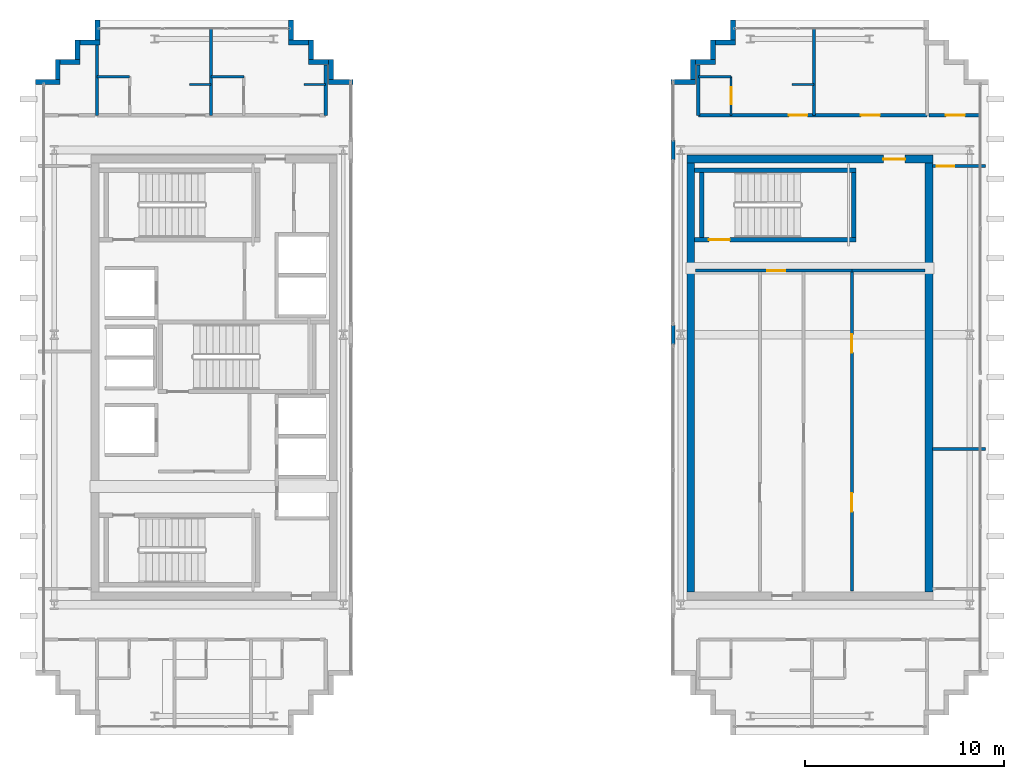
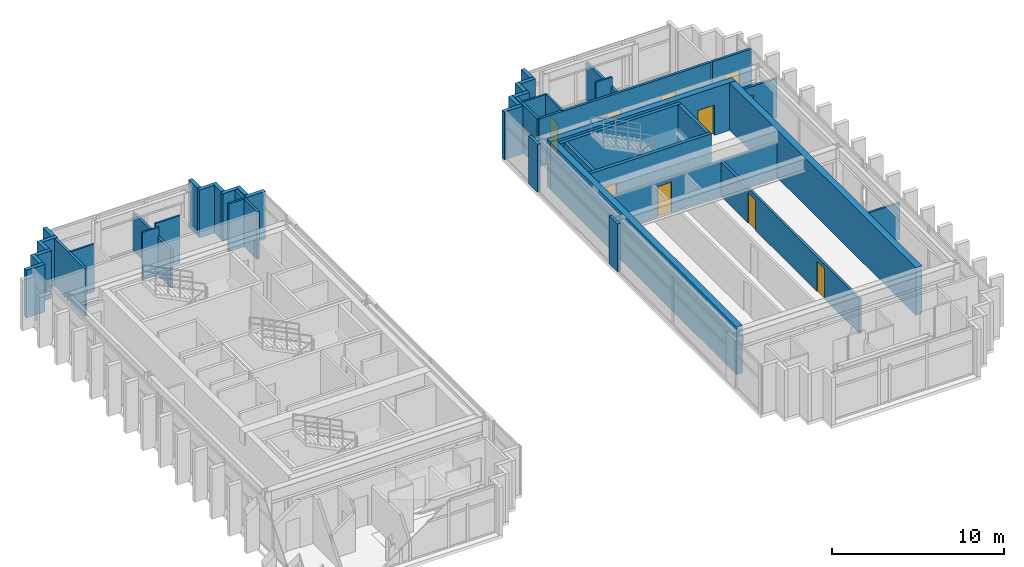
# One storey, part 22 of 25: 46 walls, 10 doors, 10 openings.
"""IFC4 building model written with IfcOpenShell, lengths in metres."""

from ifc_helpers import new_model, si_unit, direction, frame, frame_2d, origin, place, context, subcontext, project, spatial, rectangle, extrude, source, transform, mapped, material, layer, layer_set, type_object, element, fill, save


model = new_model("IFC4")

# Units and contexts
model_context = context("Model", 3, precision=1e-05, world=origin(), true_north=direction((0.0, 1.0)))
body_context = subcontext(model_context, "Body", "Model", "MODEL_VIEW")
ifc_project = project(units=[si_unit("LENGTHUNIT", "METRE"), si_unit("AREAUNIT", "SQUARE_METRE"), si_unit("VOLUMEUNIT", "CUBIC_METRE"), si_unit("PLANEANGLEUNIT", "RADIAN"), si_unit("MASSUNIT", "GRAM", prefix="KILO")], contexts=[model_context])

# Site, building, storey
site_placement = place(None, origin())
site = spatial("IfcSite", under=ifc_project, at=site_placement, CompositionType="ELEMENT")
building_placement = place(site_placement, origin())
building = spatial("IfcBuilding", under=site, at=building_placement, Name="Ocotamira Hotel", CompositionType="ELEMENT")
storey_placement = place(building_placement, frame((0.0, 0.0, 254.39990234375)))
storey = spatial("IfcBuildingStorey", under=building, at=storey_placement, Name="L64", CompositionType="ELEMENT", Elevation=254.39990234375)

# Wall, opening, door
ifc_material_1 = material(Name="Concrete C50/60", Category="concrete")
ifc_layer_1 = layer(ifc_material_1, 0.39990234375)
ifc_layer_set_1 = layer_set([ifc_layer_1], Name="Concrete C50/60")
wall_type_1 = type_object("IfcWallType", Name="WL-CORE-400", PredefinedType="SHEAR", material=ifc_layer_set_1)
wall_1_placement = place(storey_placement, frame((40.800048828125, 37.0, 0.0), z_axis=(0.0, 0.0, 1.0), x_axis=(1.0, 0.0, 0.0)))
wall_1 = element("IfcWall", 1, at=wall_1_placement, inside=storey, type_object=wall_type_1, Name="L64 Shear Core Wall ECORE-N", PredefinedType="SHEAR", context=body_context, shape_type="SweptSolid", body=[
    extrude(rectangle(XDim=12.39990234375, YDim=0.39990234375, at=frame_2d((6.199951171875, 0.0))), origin(), (0.0, 0.0, 1.0), 3.380126953125),
])
opening_1_placement = place(wall_1_placement, frame((9.89990234375, 0.0, 0.0)))
opening_1 = element("IfcOpeningElement", 2, at=opening_1_placement, cuts=wall_1, Name="Opening D-FR1", PredefinedType="OPENING", context=body_context, shape_type="SweptSolid", body=[
    extrude(rectangle(XDim=1.10009765625, YDim=2.14990234375, at=frame_2d((0.550048828125, 1.074951171875))), frame((0.0, 0.2099609375, 0.0), z_axis=(0.0, -1.0, 0.0), x_axis=(1.0, 0.0, 0.0)), (0.0, 0.0, 1.0), 0.419921875),
])
ifc_material_2 = material(Name="Fire-rated acoustic timber-veneer door", Category="wood")
door_type_1 = type_object("IfcDoorType", Name="DR-FIRE-1100", OperationType="NOTDEFINED", PredefinedType="DOOR", material=ifc_material_2)
shared_shape_1 = source(origin(), body_context, "Body", "SweptSolid", [
    extrude(rectangle(XDim=1.10009765625, YDim=2.14990234375, at=frame_2d((0.550048828125, 1.074951171875))), frame((0.0, 0.02490234375, 0.0), z_axis=(0.0, -1.0, 0.0), x_axis=(1.0, 0.0, 0.0)), (0.0, 0.0, 1.0), 0.050048828125),
])
door_1_placement = place(opening_1_placement, origin())
door_1 = element("IfcDoor", 3, at=door_1_placement, inside=storey, type_object=door_type_1, Name="L64 Door ID-L64-ELOB-N-D [ID-L64-ELOB-N-D]", OperationType="SINGLE_SWING_LEFT", OverallHeight=2.14990234375, OverallWidth=1.10009765625, PredefinedType="DOOR", context=body_context, shape_type="MappedRepresentation", body=[
    mapped(shared_shape_1, transform((0.0, 0.0, 0.0), scale=1.0)),
])
fill(opening_1, door_1)

# Walls
for number, where, z_axis, x_axis, name in (
    (4, (41.0, 15.199951171875, 0.0), (0.0, 0.0, 1.0), (0.0, 1.0, 0.0), "L64 Shear Core Wall ECORE-W"),
    (5, (53.0, 15.199951171875, 0.0), (0.0, 0.0, 1.0), (0.0, 1.0, 0.0), "L64 Shear Core Wall ECORE-E"),
):
    element("IfcWall", number, at=place(storey_placement, frame(where, z_axis=z_axis, x_axis=x_axis)), inside=storey, type_object=wall_type_1, Name=name, PredefinedType="SHEAR", context=body_context, shape_type="SweptSolid", body=[
        extrude(rectangle(XDim=21.60009765625, YDim=0.39990234375, at=frame_2d((10.800048828125, 0.0))), origin(), (0.0, 0.0, 1.0), 3.380126953125),
    ])
ifc_material_3 = material(Name="Precast concrete C45/55", Category="concrete")
ifc_layer_2 = layer(ifc_material_3, 0.25)
ifc_layer_set_2 = layer_set([ifc_layer_2], Name="Precast concrete C45/55")
wall_type_2 = type_object("IfcWallType", Name="WL-EXT-SER-250", PredefinedType="SOLIDWALL", material=ifc_layer_set_2)
wall_2_placement = place(storey_placement, frame((24.0, 40.875, 0.0), z_axis=(0.0, 0.0, 1.0), x_axis=(-1.0, 0.0, 0.0)))
element("IfcWall", 6, at=wall_2_placement, inside=storey, type_object=wall_type_2, Name="L64 -W Serrated Corner Wall 07", PredefinedType="SOLIDWALL", context=body_context, shape_type="SweptSolid", body=[
    extrude(rectangle(XDim=1.25, YDim=0.25, at=frame_2d((0.625, 0.0))), origin(), (0.0, 0.0, 1.0), 3.380126953125),
])
for number, where, z_axis, x_axis, name in (
    (7, (22.875, 41.0, 0.0), (0.0, 0.0, 1.0), (0.0, 1.0, 0.0), "L64 -W Serrated Corner Wall 08"),
    (8, (22.75, 41.875, 0.0), (0.0, 0.0, 1.0), (-1.0, 0.0, 0.0), "L64 -W Serrated Corner Wall 09"),
    (9, (21.875, 42.0, 0.0), (0.0, 0.0, 1.0), (0.0, 1.0, 0.0), "L64 -W Serrated Corner Wall 10"),
    (10, (21.75, 42.875, 0.0), (0.0, 0.0, 1.0), (-1.0, 0.0, 0.0), "L64 -W Serrated Corner Wall 11"),
    (11, (20.875, 43.0, 0.0), (0.0, 0.0, 1.0), (0.0, 1.0, 0.0), "L64 -W Serrated Corner Wall 12"),
    (12, (11.125, 44.0, 0.0), (0.0, 0.0, 1.0), (0.0, -1.0, 0.0), "L64 -W Serrated Corner Wall 13"),
    (13, (11.25, 42.875, 0.0), (0.0, 0.0, 1.0), (-1.0, 0.0, 0.0), "L64 -W Serrated Corner Wall 14"),
    (14, (10.125, 43.0, 0.0), (0.0, 0.0, 1.0), (0.0, -1.0, 0.0), "L64 -W Serrated Corner Wall 15"),
    (15, (10.25, 41.875, 0.0), (0.0, 0.0, 1.0), (-1.0, 0.0, 0.0), "L64 -W Serrated Corner Wall 16"),
    (16, (9.125, 42.0, 0.0), (0.0, 0.0, 1.0), (0.0, -1.0, 0.0), "L64 -W Serrated Corner Wall 17"),
):
    element("IfcWall", number, at=place(storey_placement, frame(where, z_axis=z_axis, x_axis=x_axis)), inside=storey, type_object=wall_type_2, Name=name, PredefinedType="SOLIDWALL", context=body_context, shape_type="SweptSolid", body=[
        extrude(rectangle(XDim=1.0, YDim=0.25, at=frame_2d((0.5, 0.0))), origin(), (0.0, 0.0, 1.0), 3.380126953125),
    ])
wall_3_placement = place(storey_placement, frame((9.25, 40.875, 0.0), z_axis=(0.0, 0.0, 1.0), x_axis=(-1.0, 0.0, 0.0)))
element("IfcWall", 17, at=wall_3_placement, inside=storey, type_object=wall_type_2, Name="L64 -W Serrated Corner Wall 18", PredefinedType="SOLIDWALL", context=body_context, shape_type="SweptSolid", body=[
    extrude(rectangle(XDim=1.25, YDim=0.25, at=frame_2d((0.625, 0.0))), origin(), (0.0, 0.0, 1.0), 3.380126953125),
])
for number, where, z_axis, x_axis, name in (
    (18, (43.125, 44.0, 0.0), (0.0, 0.0, 1.0), (0.0, -1.0, 0.0), "L64 -E Serrated Corner Wall 13"),
    (19, (43.25, 42.875, 0.0), (0.0, 0.0, 1.0), (-1.0, 0.0, 0.0), "L64 -E Serrated Corner Wall 14"),
    (20, (42.125, 43.0, 0.0), (0.0, 0.0, 1.0), (0.0, -1.0, 0.0), "L64 -E Serrated Corner Wall 15"),
    (21, (42.25, 41.875, 0.0), (0.0, 0.0, 1.0), (-1.0, 0.0, 0.0), "L64 -E Serrated Corner Wall 16"),
    (22, (41.125, 42.0, 0.0), (0.0, 0.0, 1.0), (0.0, -1.0, 0.0), "L64 -E Serrated Corner Wall 17"),
):
    element("IfcWall", number, at=place(storey_placement, frame(where, z_axis=z_axis, x_axis=x_axis)), inside=storey, type_object=wall_type_2, Name=name, PredefinedType="SOLIDWALL", context=body_context, shape_type="SweptSolid", body=[
        extrude(rectangle(XDim=1.0, YDim=0.25, at=frame_2d((0.5, 0.0))), origin(), (0.0, 0.0, 1.0), 3.380126953125),
    ])
wall_4_placement = place(storey_placement, frame((41.25, 40.875, 0.0), z_axis=(0.0, 0.0, 1.0), x_axis=(-1.0, 0.0, 0.0)))
element("IfcWall", 23, at=wall_4_placement, inside=storey, type_object=wall_type_2, Name="L64 -E Serrated Corner Wall 18", PredefinedType="SOLIDWALL", context=body_context, shape_type="SweptSolid", body=[
    extrude(rectangle(XDim=1.25, YDim=0.25, at=frame_2d((0.625, 0.0))), origin(), (0.0, 0.0, 1.0), 3.380126953125),
])
ifc_material_4 = material(Name="Acoustic double-layer fire gypsum board partition", Category="gypsum")
ifc_layer_3 = layer(ifc_material_4, 0.159912109375)
ifc_layer_set_3 = layer_set([ifc_layer_3], Name="Acoustic double-layer fire gypsum board partition")
wall_type_3 = type_object("IfcWallType", Name="WL-FIRE-160", PredefinedType="PARTITIONING", material=ifc_layer_set_3)
wall_5_placement = place(storey_placement, frame((49.1201171875, 31.3798828125, 0.0), z_axis=(0.0, 0.0, 1.0), x_axis=(1.0, 0.0, 0.0)))
element("IfcWall", 24, at=wall_5_placement, inside=storey, type_object=wall_type_3, Name="L64 Interior Wall PW-L64-EC-FLOW-N", PredefinedType="PARTITIONING", context=body_context, shape_type="SweptSolid", body=[
    extrude(rectangle(XDim=3.679931640625, YDim=0.159912109375, at=frame_2d((1.83984375, 0.0))), origin(), (0.0, 0.0, 1.0), 2.47998046875),
])

# Wall, openings, doors
wall_6_placement = place(storey_placement, frame((49.1201171875, 15.25, 0.0), z_axis=(0.0, 0.0, 1.0), x_axis=(0.0, 1.0, 0.0)))
wall_6 = element("IfcWall", 25, at=wall_6_placement, inside=storey, type_object=wall_type_3, Name="L64 Interior Wall PW-L64-EC-FLOW-W", PredefinedType="PARTITIONING", context=body_context, shape_type="SweptSolid", body=[
    extrude(rectangle(XDim=16.1298828125, YDim=0.159912109375, at=frame_2d((8.06494140625, 0.0))), origin(), (0.0, 0.0, 1.0), 2.453125),
])
opening_2_placement = place(wall_6_placement, frame((4.0, 0.0, 0.0)))
opening_2 = element("IfcOpeningElement", 26, at=opening_2_placement, cuts=wall_6, Name="Opening D-SV3", PredefinedType="OPENING", context=body_context, shape_type="SweptSolid", body=[
    extrude(rectangle(XDim=0.919921875, YDim=2.14990234375, at=frame_2d((0.4599609375, 1.074951171875))), frame((0.0, 0.08984375, 0.0), z_axis=(0.0, -1.0, 0.0), x_axis=(1.0, 0.0, 0.0)), (0.0, 0.0, 1.0), 0.179931640625),
])
opening_3_placement = place(wall_6_placement, frame((12.0, 0.0, 0.0)))
opening_3 = element("IfcOpeningElement", 27, at=opening_3_placement, cuts=wall_6, Name="Opening D-SV3", PredefinedType="OPENING", context=body_context, shape_type="SweptSolid", body=[
    extrude(rectangle(XDim=0.919921875, YDim=2.14990234375, at=frame_2d((0.4599609375, 1.074951171875))), frame((0.0, 0.08984375, 0.0), z_axis=(0.0, -1.0, 0.0), x_axis=(1.0, 0.0, 0.0)), (0.0, 0.0, 1.0), 0.179931640625),
])
ifc_material_5 = material(Name="Fire-rated walnut hospitality door", Category="wood")
door_type_2 = type_object("IfcDoorType", Name="DR-SERV-920", OperationType="NOTDEFINED", PredefinedType="DOOR", material=ifc_material_5)
shared_shape_2 = source(origin(), body_context, "Body", "SweptSolid", [
    extrude(rectangle(XDim=0.919921875, YDim=2.14990234375, at=frame_2d((0.4599609375, 1.074951171875))), frame((0.0, 0.02490234375, 0.0), z_axis=(0.0, -1.0, 0.0), x_axis=(1.0, 0.0, 0.0)), (0.0, 0.0, 1.0), 0.050048828125),
])
door_2_placement = place(opening_2_placement, origin())
door_2 = element("IfcDoor", 28, at=door_2_placement, inside=storey, type_object=door_type_2, Name="L64 Door ID-L64-EC-FLOW-D1 [ID-L64-EC-FLOW-D1]", OperationType="SINGLE_SWING_LEFT", OverallHeight=2.14990234375, OverallWidth=0.919921875, PredefinedType="DOOR", context=body_context, shape_type="MappedRepresentation", body=[
    mapped(shared_shape_2, transform((0.0, 0.0, 0.0), scale=1.0)),
])
fill(opening_2, door_2)
door_3_placement = place(opening_3_placement, origin())
door_3 = element("IfcDoor", 29, at=door_3_placement, inside=storey, type_object=door_type_2, Name="L64 Door ID-L64-EC-FLOW-D2 [ID-L64-EC-FLOW-D2]", OperationType="SINGLE_SWING_RIGHT", OverallHeight=2.14990234375, OverallWidth=0.919921875, PredefinedType="DOOR", context=body_context, shape_type="MappedRepresentation", body=[
    mapped(shared_shape_2, transform((0.0, 0.0, 0.0), scale=1.0)),
])
fill(opening_3, door_3)

wall_7_placement = place(storey_placement, frame((41.3798828125, 39.199951171875, 0.0), z_axis=(0.0, 0.0, 1.0), x_axis=(1.0, 0.0, 0.0)))
wall_7 = element("IfcWall", 30, at=wall_7_placement, inside=storey, type_object=wall_type_3, Name="L64 Interior Wall PW-L64-SPE0N-CORRW", PredefinedType="PARTITIONING", context=body_context, shape_type="SweptSolid", body=[
    extrude(rectangle(XDim=11.52001953125, YDim=0.159912109375, at=frame_2d((5.760009765625, 0.0))), origin(), (0.0, 0.0, 1.0), 3.380126953125),
])
opening_4_placement = place(wall_7_placement, frame((4.56005859375, 0.0, 0.0)))
opening_4 = element("IfcOpeningElement", 31, at=opening_4_placement, cuts=wall_7, Name="Opening D-GR1", PredefinedType="OPENING", context=body_context, shape_type="SweptSolid", body=[
    extrude(rectangle(XDim=0.93994140625, YDim=2.14990234375, at=frame_2d((0.469970703125, 1.074951171875))), frame((0.0, 0.08984375, 0.0), z_axis=(0.0, -1.0, 0.0), x_axis=(1.0, 0.0, 0.0)), (0.0, 0.0, 1.0), 0.179931640625),
])
opening_5_placement = place(wall_7_placement, frame((8.18994140625, 0.0, 0.0)))
opening_5 = element("IfcOpeningElement", 32, at=opening_5_placement, cuts=wall_7, Name="Opening D-SV4", PredefinedType="OPENING", context=body_context, shape_type="SweptSolid", body=[
    extrude(rectangle(XDim=0.9599609375, YDim=2.14990234375, at=frame_2d((0.47998046875, 1.074951171875))), frame((0.0, 0.08984375, 0.0), z_axis=(0.0, -1.0, 0.0), x_axis=(1.0, 0.0, 0.0)), (0.0, 0.0, 1.0), 0.179931640625),
])
ifc_material_6 = material(Name="Fire-rated accessible walnut salon door", Category="wood")
door_type_3 = type_object("IfcDoorType", Name="DR-SERV-960", OperationType="NOTDEFINED", PredefinedType="DOOR", material=ifc_material_6)
shared_shape_3 = source(origin(), body_context, "Body", "SweptSolid", [
    extrude(rectangle(XDim=0.9599609375, YDim=2.14990234375, at=frame_2d((0.47998046875, 1.074951171875))), frame((0.0, 0.02490234375, 0.0), z_axis=(0.0, -1.0, 0.0), x_axis=(1.0, 0.0, 0.0)), (0.0, 0.0, 1.0), 0.050048828125),
])
door_4_placement = place(opening_5_placement, origin())
door_4 = element("IfcDoor", 33, at=door_4_placement, inside=storey, type_object=door_type_3, Name="L64 Door ID-L64-SPE0N-AMD2 [ID-L64-SPE0N-AMD2]", OperationType="SINGLE_SWING_RIGHT", OverallHeight=2.14990234375, OverallWidth=0.9599609375, PredefinedType="DOOR", context=body_context, shape_type="MappedRepresentation", body=[
    mapped(shared_shape_3, transform((0.0, 0.0, 0.0), scale=1.0)),
])
fill(opening_5, door_4)
ifc_material_7 = material(Name="Solid-core walnut suite entrance fire door", Category="wood")
door_type_4 = type_object("IfcDoorType", Name="DR-GUEST-940", OperationType="NOTDEFINED", PredefinedType="DOOR", material=ifc_material_7)
shared_shape_4 = source(origin(), body_context, "Body", "SweptSolid", [
    extrude(rectangle(XDim=0.93994140625, YDim=2.14990234375, at=frame_2d((0.469970703125, 1.074951171875))), frame((0.0, 0.02490234375, 0.0), z_axis=(0.0, -1.0, 0.0), x_axis=(1.0, 0.0, 0.0)), (0.0, 0.0, 1.0), 0.050048828125),
])
door_5_placement = place(opening_4_placement, origin())
door_5 = element("IfcDoor", 34, at=door_5_placement, inside=storey, type_object=door_type_4, Name="L64 Door ID-L64-SPE0N-RMD1 [ID-L64-SPE0N-RMD1]", OperationType="SINGLE_SWING_LEFT", OverallHeight=2.14990234375, OverallWidth=0.93994140625, PredefinedType="DOOR", context=body_context, shape_type="MappedRepresentation", body=[
    mapped(shared_shape_4, transform((0.0, 0.0, 0.0), scale=1.0)),
])
fill(opening_4, door_5)

# Wall, opening, door
wall_8_placement = place(storey_placement, frame((53.0, 39.199951171875, 0.0), z_axis=(0.0, 0.0, 1.0), x_axis=(1.0, 0.0, 0.0)))
wall_8 = element("IfcWall", 35, at=wall_8_placement, inside=storey, type_object=wall_type_3, Name="L64 Interior Wall PW-L64-SPCNE0-CW", PredefinedType="PARTITIONING", context=body_context, shape_type="SweptSolid", body=[
    extrude(rectangle(XDim=2.64990234375, YDim=0.159912109375, at=frame_2d((1.324951171875, 0.0))), origin(), (0.0, 0.0, 1.0), 3.380126953125),
])
opening_6_placement = place(wall_8_placement, frame((0.844970703125, 0.0, 0.0)))
opening_6 = element("IfcOpeningElement", 36, at=opening_6_placement, cuts=wall_8, Name="Opening D-SV4", PredefinedType="OPENING", context=body_context, shape_type="SweptSolid", body=[
    extrude(rectangle(XDim=0.9599609375, YDim=2.14990234375, at=frame_2d((0.47998046875, 1.074951171875))), frame((0.0, 0.08984375, 0.0), z_axis=(0.0, -1.0, 0.0), x_axis=(1.0, 0.0, 0.0)), (0.0, 0.0, 1.0), 0.179931640625),
])
door_6_placement = place(opening_6_placement, origin())
door_6 = element("IfcDoor", 37, at=door_6_placement, inside=storey, type_object=door_type_3, Name="L64 Door ID-L64-SPCNE0-CD [ID-L64-SPCNE0-CD]", OperationType="SINGLE_SWING_LEFT", OverallHeight=2.14990234375, OverallWidth=0.9599609375, PredefinedType="DOOR", context=body_context, shape_type="MappedRepresentation", body=[
    mapped(shared_shape_3, transform((0.0, 0.0, 0.0), scale=1.0)),
])
fill(opening_6, door_6)

# Walls
ifc_layer_4 = layer(ifc_material_3, 0.219970703125)
ifc_layer_set_4 = layer_set([ifc_layer_4], Name="Precast concrete C45/55")
wall_type_4 = type_object("IfcWallType", Name="WL-PARA-220", PredefinedType="PARAPET", material=ifc_layer_set_4)
for number, where, z_axis, x_axis, name in (
    (38, (40.1201171875, 27.64990234375, 0.0), (0.0, 0.0, 1.0), (0.0, 1.0, 0.0), "L64 Split-Wing Column Spandrel Closure E2"),
    (39, (40.1201171875, 36.949951171875, 0.0), (0.0, 0.0, 1.0), (0.0, 1.0, 0.0), "L64 Split-Wing Column Spandrel Closure E3"),
):
    element("IfcWall", number, at=place(storey_placement, frame(where, z_axis=z_axis, x_axis=x_axis)), inside=storey, type_object=wall_type_4, Name=name, PredefinedType="PARAPET", context=body_context, shape_type="SweptSolid", body=[
        extrude(rectangle(XDim=1.0, YDim=0.199951171875, at=frame_2d((0.5, 0.0))), origin(), (0.0, 0.0, 1.0), 3.380126953125),
    ])
ifc_material_8 = material(Name="Moisture-resistant en-suite tile and gypsum partition", Category="gypsum")
ifc_layer_5 = layer(ifc_material_8, 0.1201171875)
ifc_layer_set_5 = layer_set([ifc_layer_5], Name="Moisture-resistant en-suite tile and gypsum partition")
wall_type_5 = type_object("IfcWallType", Name="WL-PART-120", PredefinedType="PARTITIONING", material=ifc_layer_set_5)
wall_9_placement = place(storey_placement, frame((11.10009765625, 41.14990234375, 0.0), z_axis=(0.0, 0.0, 1.0), x_axis=(1.0, 0.0, 0.0)))
element("IfcWall", 40, at=wall_9_placement, inside=storey, type_object=wall_type_5, Name="L64 Interior Wall PW-L64-SPW0N-BAN1", PredefinedType="PARTITIONING", context=body_context, shape_type="SweptSolid", body=[
    extrude(rectangle(XDim=1.64990234375, YDim=0.1201171875, at=frame_2d((0.824951171875, 0.0))), origin(), (0.0, 0.0, 1.0), 3.380126953125),
])
wall_10_placement = place(storey_placement, frame((15.75, 40.75, 0.0), z_axis=(0.0, 0.0, 1.0), x_axis=(1.0, 0.0, 0.0)))
element("IfcWall", 41, at=wall_10_placement, inside=storey, type_object=wall_type_5, Name="L64 Interior Wall PW-L64-SPW0N-DRN1", PredefinedType="PARTITIONING", context=body_context, shape_type="SweptSolid", body=[
    extrude(rectangle(XDim=1.10009765625, YDim=0.1201171875, at=frame_2d((0.550048828125, 0.0))), origin(), (0.0, 0.0, 1.0), 3.380126953125),
])
wall_11_placement = place(storey_placement, frame((16.85009765625, 41.14990234375, 0.0), z_axis=(0.0, 0.0, 1.0), x_axis=(1.0, 0.0, 0.0)))
element("IfcWall", 42, at=wall_11_placement, inside=storey, type_object=wall_type_5, Name="L64 Interior Wall PW-L64-SPW0N-BAN2", PredefinedType="PARTITIONING", context=body_context, shape_type="SweptSolid", body=[
    extrude(rectangle(XDim=1.64990234375, YDim=0.1201171875, at=frame_2d((0.824951171875, 0.0))), origin(), (0.0, 0.0, 1.0), 3.380126953125),
])
wall_12_placement = place(storey_placement, frame((21.52001953125, 40.75, 0.0), z_axis=(0.0, 0.0, 1.0), x_axis=(1.0, 0.0, 0.0)))
element("IfcWall", 43, at=wall_12_placement, inside=storey, type_object=wall_type_5, Name="L64 Interior Wall PW-L64-SPW0N-DRN2", PredefinedType="PARTITIONING", context=body_context, shape_type="SweptSolid", body=[
    extrude(rectangle(XDim=1.10009765625, YDim=0.1201171875, at=frame_2d((0.550048828125, 0.0))), origin(), (0.0, 0.0, 1.0), 3.380126953125),
])

# Wall, opening, door
wall_13_placement = place(storey_placement, frame((43.030029296875, 39.199951171875, 0.0), z_axis=(0.0, 0.0, 1.0), x_axis=(0.0, 1.0, 0.0)))
wall_13 = element("IfcWall", 44, at=wall_13_placement, inside=storey, type_object=wall_type_5, Name="L64 Interior Wall PW-L64-SPE0N-BAE1", PredefinedType="PARTITIONING", context=body_context, shape_type="SweptSolid", body=[
    extrude(rectangle(XDim=1.949951171875, YDim=0.1201171875, at=frame_2d((0.97509765625, 0.0))), origin(), (0.0, 0.0, 1.0), 3.380126953125),
])
opening_7_placement = place(wall_13_placement, frame((0.544921875, 0.0, 0.0)))
opening_7 = element("IfcOpeningElement", 45, at=opening_7_placement, cuts=wall_13, Name="Opening D-BA1", PredefinedType="OPENING", context=body_context, shape_type="SweptSolid", body=[
    extrude(rectangle(XDim=0.860107421875, YDim=2.10009765625, at=frame_2d((0.43017578125, 1.050048828125))), frame((0.0, 0.070068359375, 0.0), z_axis=(0.0, -1.0, 0.0), x_axis=(1.0, 0.0, 0.0)), (0.0, 0.0, 1.0), 0.14013671875),
])
ifc_material_9 = material(Name="Moisture-sealed en-suite timber door", Category="wood")
door_type_5 = type_object("IfcDoorType", Name="DR-BATH-860", OperationType="NOTDEFINED", PredefinedType="DOOR", material=ifc_material_9)
shared_shape_5 = source(origin(), body_context, "Body", "SweptSolid", [
    extrude(rectangle(XDim=0.860107421875, YDim=2.10009765625, at=frame_2d((0.43017578125, 1.050048828125))), frame((0.0, 0.02490234375, 0.0), z_axis=(0.0, -1.0, 0.0), x_axis=(1.0, 0.0, 0.0)), (0.0, 0.0, 1.0), 0.050048828125),
])
door_7_placement = place(opening_7_placement, origin())
door_7 = element("IfcDoor", 46, at=door_7_placement, inside=storey, type_object=door_type_5, Name="L64 Door ID-L64-SPE0N-BAD1 [ID-L64-SPE0N-BAD1]", OperationType="SINGLE_SWING_RIGHT", OverallHeight=2.10009765625, OverallWidth=0.860107421875, PredefinedType="DOOR", context=body_context, shape_type="MappedRepresentation", body=[
    mapped(shared_shape_5, transform((0.0, 0.0, 0.0), scale=1.0)),
])
fill(opening_7, door_7)

# Walls
wall_14_placement = place(storey_placement, frame((41.3798828125, 41.14990234375, 0.0), z_axis=(0.0, 0.0, 1.0), x_axis=(1.0, 0.0, 0.0)))
element("IfcWall", 47, at=wall_14_placement, inside=storey, type_object=wall_type_5, Name="L64 Interior Wall PW-L64-SPE0N-BAN1", PredefinedType="PARTITIONING", context=body_context, shape_type="SweptSolid", body=[
    extrude(rectangle(XDim=1.650146484375, YDim=0.1201171875, at=frame_2d((0.8251953125, 0.0))), origin(), (0.0, 0.0, 1.0), 3.380126953125),
])
wall_15_placement = place(storey_placement, frame((46.10009765625, 40.75, 0.0), z_axis=(0.0, 0.0, 1.0), x_axis=(1.0, 0.0, 0.0)))
element("IfcWall", 48, at=wall_15_placement, inside=storey, type_object=wall_type_5, Name="L64 Interior Wall PW-L64-SPE0N-DRN1", PredefinedType="PARTITIONING", context=body_context, shape_type="SweptSolid", body=[
    extrude(rectangle(XDim=1.099853515625, YDim=0.1201171875, at=frame_2d((0.5498046875, 0.0))), origin(), (0.0, 0.0, 1.0), 3.380126953125),
])
ifc_material_10 = material(Name="Acoustic hospitality gypsum board partition", Category="gypsum")
ifc_layer_6 = layer(ifc_material_10, 0.14208984375)
ifc_layer_set_6 = layer_set([ifc_layer_6], Name="Acoustic hospitality gypsum board partition")
wall_type_6 = type_object("IfcWallType", Name="WL-PART-142", PredefinedType="PARTITIONING", material=ifc_layer_set_6)
wall_16_placement = place(storey_placement, frame((53.179931640625, 22.39990234375, 0.0), z_axis=(0.0, 0.0, 1.0), x_axis=(1.0, 0.0, 0.0)))
element("IfcWall", 49, at=wall_16_placement, inside=storey, type_object=wall_type_6, Name="L64 Interior Wall PW-L64-SP0E-DV1", PredefinedType="PARTITIONING", context=body_context, shape_type="SweptSolid", body=[
    extrude(rectangle(XDim=2.66015625, YDim=0.14208984375, at=frame_2d((1.330078125, 0.0))), origin(), (0.0, 0.0, 1.0), 2.60107421875),
])

# Wall, opening, door
ifc_layer_7 = layer(ifc_material_10, 0.14990234375)
ifc_layer_set_7 = layer_set([ifc_layer_7], Name="Acoustic hospitality gypsum board partition")
wall_type_7 = type_object("IfcWallType", Name="WL-PART-150", PredefinedType="PARTITIONING", material=ifc_layer_set_7)
wall_17_placement = place(storey_placement, frame((41.25, 31.3798828125, 0.0), z_axis=(0.0, 0.0, 1.0), x_axis=(1.0, 0.0, 0.0)))
wall_17 = element("IfcWall", 50, at=wall_17_placement, inside=storey, type_object=wall_type_7, Name="L64 Interior Wall PW-L64-EC-HMT-N", PredefinedType="PARTITIONING", context=body_context, shape_type="SweptSolid", body=[
    extrude(rectangle(XDim=7.8701171875, YDim=0.14990234375, at=frame_2d((3.93505859375, 0.0))), origin(), (0.0, 0.0, 1.0), 2.47998046875),
])
opening_8_placement = place(wall_17_placement, frame((3.60009765625, 0.0, 0.0)))
opening_8 = element("IfcOpeningElement", 51, at=opening_8_placement, cuts=wall_17, Name="Opening D-IN3", PredefinedType="OPENING", context=body_context, shape_type="SweptSolid", body=[
    extrude(rectangle(XDim=0.89990234375, YDim=2.14990234375, at=frame_2d((0.449951171875, 1.074951171875))), frame((0.0, 0.0849609375, 0.0), z_axis=(0.0, -1.0, 0.0), x_axis=(1.0, 0.0, 0.0)), (0.0, 0.0, 1.0), 0.169921875),
])
ifc_material_11 = material(Name="Painted service room door", Category="steel")
door_type_6 = type_object("IfcDoorType", Name="DR-INT-900", OperationType="NOTDEFINED", PredefinedType="DOOR", material=ifc_material_11)
shared_shape_6 = source(origin(), body_context, "Body", "SweptSolid", [
    extrude(rectangle(XDim=0.89990234375, YDim=2.14990234375, at=frame_2d((0.449951171875, 1.074951171875))), frame((0.0, 0.02490234375, 0.0), z_axis=(0.0, -1.0, 0.0), x_axis=(1.0, 0.0, 0.0)), (0.0, 0.0, 1.0), 0.050048828125),
])
door_8_placement = place(opening_8_placement, origin())
door_8 = element("IfcDoor", 52, at=door_8_placement, inside=storey, type_object=door_type_6, Name="L64 Door ID-L64-EC-MGALD [ID-L64-EC-MGALD]", OperationType="SINGLE_SWING_LEFT", OverallHeight=2.14990234375, OverallWidth=0.89990234375, PredefinedType="DOOR", context=body_context, shape_type="MappedRepresentation", body=[
    mapped(shared_shape_6, transform((0.0, 0.0, 0.0), scale=1.0)),
])
fill(opening_8, door_8)

wall_18_placement = place(storey_placement, frame((53.179931640625, 36.639892578125, 0.0), z_axis=(0.0, 0.0, 1.0), x_axis=(1.0, 0.0, 0.0)))
wall_18 = element("IfcWall", 53, at=wall_18_placement, inside=storey, type_object=wall_type_7, Name="L64 Interior Wall PW-L64-SP0E-WN", PredefinedType="PARTITIONING", context=body_context, shape_type="SweptSolid", body=[
    extrude(rectangle(XDim=2.66015625, YDim=0.14990234375, at=frame_2d((1.330078125, 0.0))), origin(), (0.0, 0.0, 1.0), 2.76318359375),
])
opening_9_placement = place(wall_18_placement, frame((0.199951171875, 0.0, 0.0)))
opening_9 = element("IfcOpeningElement", 54, at=opening_9_placement, cuts=wall_18, Name="Opening D-SV2", PredefinedType="OPENING", context=body_context, shape_type="SweptSolid", body=[
    extrude(rectangle(XDim=0.8798828125, YDim=2.14990234375, at=frame_2d((0.43994140625, 1.074951171875))), frame((0.0, 0.0849609375, 0.0), z_axis=(0.0, -1.0, 0.0), x_axis=(1.0, 0.0, 0.0)), (0.0, 0.0, 1.0), 0.169921875),
])
ifc_material_12 = material(Name="Fire-rated painted steel service door", Category="steel")
door_type_7 = type_object("IfcDoorType", Name="DR-SERV-880", OperationType="NOTDEFINED", PredefinedType="DOOR", material=ifc_material_12)
shared_shape_7 = source(origin(), body_context, "Body", "SweptSolid", [
    extrude(rectangle(XDim=0.8798828125, YDim=2.14990234375, at=frame_2d((0.43994140625, 1.074951171875))), frame((0.0, 0.02490234375, 0.0), z_axis=(0.0, -1.0, 0.0), x_axis=(1.0, 0.0, 0.0)), (0.0, 0.0, 1.0), 0.050048828125),
])
door_9_placement = place(opening_9_placement, origin())
door_9 = element("IfcDoor", 55, at=door_9_placement, inside=storey, type_object=door_type_7, Name="L64 Door ID-L64-SP0E-DN [ID-L64-SP0E-DN]", OperationType="SINGLE_SWING_LEFT", OverallHeight=2.14990234375, OverallWidth=0.8798828125, PredefinedType="DOOR", context=body_context, shape_type="MappedRepresentation", body=[
    mapped(shared_shape_7, transform((0.0, 0.0, 0.0), scale=1.0)),
])
fill(opening_9, door_9)

# Walls
ifc_material_13 = material(Name="Acoustic double-stud hospitality gypsum partition", Category="gypsum")
ifc_layer_8 = layer(ifc_material_13, 0.159912109375)
ifc_layer_set_8 = layer_set([ifc_layer_8], Name="Acoustic double-stud hospitality gypsum partition")
wall_type_8 = type_object("IfcWallType", Name="WL-PART-160", PredefinedType="PARTITIONING", material=ifc_layer_set_8)
wall_19_placement = place(storey_placement, frame((11.10009765625, 39.199951171875, 0.0), z_axis=(0.0, 0.0, 1.0), x_axis=(0.0, 1.0, 0.0)))
element("IfcWall", 56, at=wall_19_placement, inside=storey, type_object=wall_type_8, Name="L64 Interior Wall PW-L64-SPW0N-PW0", PredefinedType="PARTITIONING", context=body_context, shape_type="SweptSolid", body=[
    extrude(rectangle(XDim=3.5400390625, YDim=0.159912109375, at=frame_2d((1.77001953125, 0.0))), origin(), (0.0, 0.0, 1.0), 3.380126953125),
])
wall_20_placement = place(storey_placement, frame((22.6201171875, 39.199951171875, 0.0), z_axis=(0.0, 0.0, 1.0), x_axis=(0.0, 1.0, 0.0)))
element("IfcWall", 57, at=wall_20_placement, inside=storey, type_object=wall_type_8, Name="L64 Interior Wall PW-L64-SPW0N-PWEND", PredefinedType="PARTITIONING", context=body_context, shape_type="SweptSolid", body=[
    extrude(rectangle(XDim=2.5400390625, YDim=0.159912109375, at=frame_2d((1.27001953125, 0.0))), origin(), (0.0, 0.0, 1.0), 3.380126953125),
])
wall_21_placement = place(storey_placement, frame((16.85009765625, 39.199951171875, 0.0), z_axis=(0.0, 0.0, 1.0), x_axis=(0.0, 1.0, 0.0)))
element("IfcWall", 58, at=wall_21_placement, inside=storey, type_object=wall_type_8, Name="L64 Interior Wall PW-L64-SPW0N-PW1", PredefinedType="PARTITIONING", context=body_context, shape_type="SweptSolid", body=[
    extrude(rectangle(XDim=4.43994140625, YDim=0.159912109375, at=frame_2d((2.219970703125, 0.0))), origin(), (0.0, 0.0, 1.0), 2.68701171875),
])
wall_22_placement = place(storey_placement, frame((41.3798828125, 39.199951171875, 0.0), z_axis=(0.0, 0.0, 1.0), x_axis=(0.0, 1.0, 0.0)))
element("IfcWall", 59, at=wall_22_placement, inside=storey, type_object=wall_type_8, Name="L64 Interior Wall PW-L64-SPE0N-PW0", PredefinedType="PARTITIONING", context=body_context, shape_type="SweptSolid", body=[
    extrude(rectangle(XDim=2.5400390625, YDim=0.159912109375, at=frame_2d((1.27001953125, 0.0))), origin(), (0.0, 0.0, 1.0), 3.380126953125),
])
wall_23_placement = place(storey_placement, frame((47.199951171875, 39.199951171875, 0.0), z_axis=(0.0, 0.0, 1.0), x_axis=(0.0, 1.0, 0.0)))
element("IfcWall", 60, at=wall_23_placement, inside=storey, type_object=wall_type_8, Name="L64 Interior Wall PW-L64-SPE0N-PW1", PredefinedType="PARTITIONING", context=body_context, shape_type="SweptSolid", body=[
    extrude(rectangle(XDim=4.43994140625, YDim=0.159912109375, at=frame_2d((2.219970703125, 0.0))), origin(), (0.0, 0.0, 1.0), 2.68701171875),
])

# Wall, opening, door
ifc_layer_9 = layer(ifc_material_1, 0.219970703125)
ifc_layer_set_9 = layer_set([ifc_layer_9], Name="Concrete C50/60")
wall_type_9 = type_object("IfcWallType", Name="WL-STAIR-220", PredefinedType="SHEAR", material=ifc_layer_set_9)
wall_24_placement = place(storey_placement, frame((41.199951171875, 32.93994140625, 0.0), z_axis=(0.0, 0.0, 1.0), x_axis=(1.0, 0.0, 0.0)))
wall_24 = element("IfcWall", 61, at=wall_24_placement, inside=storey, type_object=wall_type_9, Name="L64 Stair Shaft Structural Wall ST-4-S", PredefinedType="SHEAR", context=body_context, shape_type="SweptSolid", body=[
    extrude(rectangle(XDim=8.110107421875, YDim=0.219970703125, at=frame_2d((4.05517578125, 0.0))), origin(), (0.0, 0.0, 1.0), 3.400146484375),
])
opening_10_placement = place(wall_24_placement, frame((0.719970703125, 0.0, 0.0)))
opening_10 = element("IfcOpeningElement", 62, at=opening_10_placement, cuts=wall_24, Name="Opening D-ST2", PredefinedType="OPENING", context=body_context, shape_type="SweptSolid", body=[
    extrude(rectangle(XDim=1.050048828125, YDim=2.14990234375, at=frame_2d((0.52490234375, 1.074951171875))), frame((0.0, 0.1201171875, 0.0), z_axis=(0.0, -1.0, 0.0), x_axis=(1.0, 0.0, 0.0)), (0.0, 0.0, 1.0), 0.239990234375),
])
ifc_material_14 = material(Name="Insulated painted hollow-metal fire exit door", Category="steel")
door_type_8 = type_object("IfcDoorType", Name="DR-STAIR-1050", OperationType="NOTDEFINED", PredefinedType="DOOR", material=ifc_material_14)
shared_shape_8 = source(origin(), body_context, "Body", "SweptSolid", [
    extrude(rectangle(XDim=1.050048828125, YDim=2.14990234375, at=frame_2d((0.52490234375, 1.074951171875))), frame((0.0, 0.02490234375, 0.0), z_axis=(0.0, -1.0, 0.0), x_axis=(1.0, 0.0, 0.0)), (0.0, 0.0, 1.0), 0.050048828125),
])
door_10_placement = place(opening_10_placement, origin())
door_10 = element("IfcDoor", 63, at=door_10_placement, inside=storey, type_object=door_type_8, Name="L64 Door ID-L64-STD-ST-4 [ID-L64-STD-ST-4]", OperationType="SINGLE_SWING_RIGHT", OverallHeight=2.14990234375, OverallWidth=1.050048828125, PredefinedType="DOOR", context=body_context, shape_type="MappedRepresentation", body=[
    mapped(shared_shape_8, transform((0.0, 0.0, 0.0), scale=1.0)),
])
fill(opening_10, door_10)

# Walls
wall_25_placement = place(storey_placement, frame((41.199951171875, 36.43994140625, 0.0), z_axis=(0.0, 0.0, 1.0), x_axis=(1.0, 0.0, 0.0)))
element("IfcWall", 64, at=wall_25_placement, inside=storey, type_object=wall_type_9, Name="L64 Stair Shaft Structural Wall ST-4-N", PredefinedType="SHEAR", context=body_context, shape_type="SweptSolid", body=[
    extrude(rectangle(XDim=8.110107421875, YDim=0.219970703125, at=frame_2d((4.05517578125, 0.0))), origin(), (0.0, 0.0, 1.0), 3.400146484375),
])
for number, where, z_axis, x_axis, name in (
    (65, (41.56005859375, 33.050048828125, 0.0), (0.0, 0.0, 1.0), (0.0, 1.0, 0.0), "L64 Stair Shaft Structural Wall ST-4-W"),
    (66, (49.199951171875, 33.050048828125, 0.0), (0.0, 0.0, 1.0), (0.0, 1.0, 0.0), "L64 Stair Shaft Structural Wall ST-4-E"),
):
    element("IfcWall", number, at=place(storey_placement, frame(where, z_axis=z_axis, x_axis=x_axis)), inside=storey, type_object=wall_type_9, Name=name, PredefinedType="SHEAR", context=body_context, shape_type="SweptSolid", body=[
        extrude(rectangle(XDim=3.280029296875, YDim=0.219970703125, at=frame_2d((1.64013671875, 0.0))), origin(), (0.0, 0.0, 1.0), 3.400146484375),
    ])

save(model, "model.ifc")
